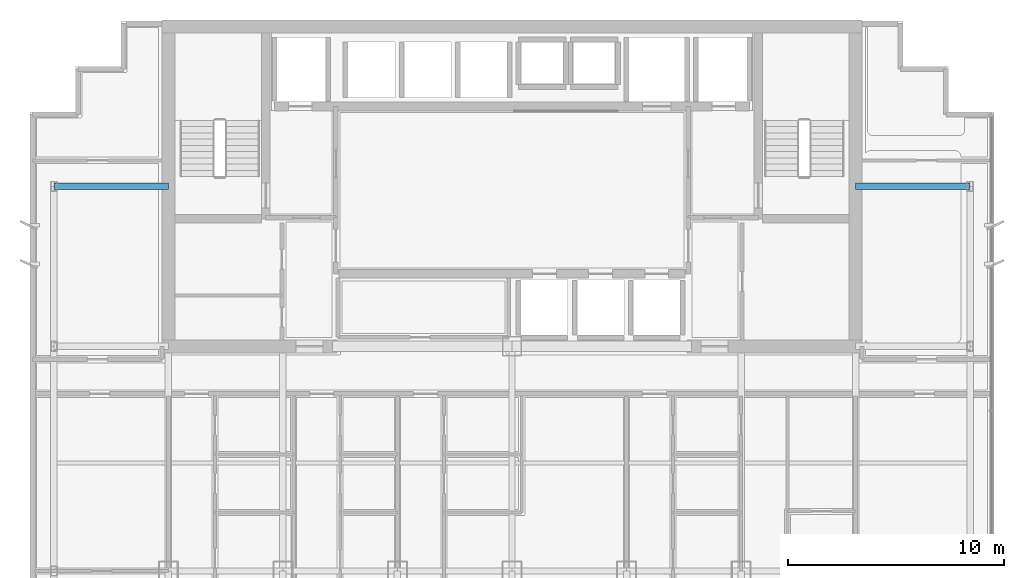
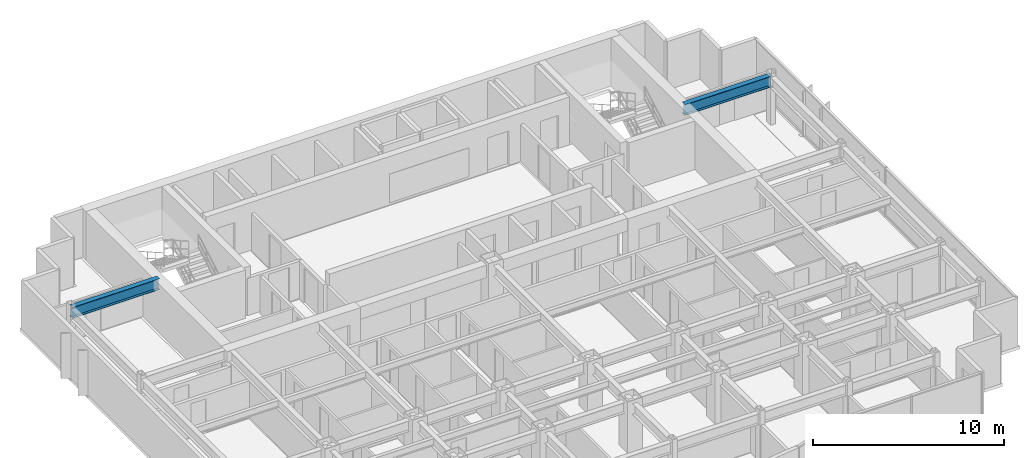
# One storey, part 5 of 13: 2 beams.
"""IFC4 building model written with IfcOpenShell, lengths in metres."""

from ifc_helpers import new_model, si_unit, direction, frame, origin, origin_2d, place, context, subcontext, project, spatial, i_section, extrude, material, material_profile, profile_set, type_object, element, save


model = new_model("IFC4")

# Units and contexts
model_context = context("Model", 3, precision=1e-05, world=origin(), true_north=direction((0.0, 1.0)))
body_context = subcontext(model_context, "Body", "Model", "MODEL_VIEW")
ifc_project = project(units=[si_unit("LENGTHUNIT", "METRE"), si_unit("AREAUNIT", "SQUARE_METRE"), si_unit("VOLUMEUNIT", "CUBIC_METRE"), si_unit("PLANEANGLEUNIT", "RADIAN"), si_unit("MASSUNIT", "GRAM", prefix="KILO")], contexts=[model_context])

# Site, building, storey
site_placement = place(None, origin())
site = spatial("IfcSite", under=ifc_project, at=site_placement, CompositionType="ELEMENT")
building_placement = place(site_placement, origin())
building = spatial("IfcBuilding", under=site, at=building_placement, Name="Qianlan Lanfeng Residences", CompositionType="ELEMENT")
storey_placement = place(building_placement, frame((0.0, 0.0, 142.5)))
storey = spatial("IfcBuildingStorey", under=building, at=storey_placement, Name="L38", CompositionType="ELEMENT", Elevation=142.5)

# Beams
ifc_material = material(Name="Steel SN490B", Category="steel")
ifc_material_profile = material_profile(ifc_material, i_section(OverallWidth=0.300048828125, OverallDepth=0.699951171875, WebThickness=0.012939453125, FlangeThickness=0.02392578125, at=origin_2d()), Name="H 700x300x13x24")
ifc_profile_set = profile_set([ifc_material_profile], Name="Steel SN490B")
beam_type = type_object("IfcBeamType", Name="G-750", PredefinedType="BEAM", material=ifc_profile_set)
for number, where, z_axis, x_axis, name in (
    (1, (5.300048828125, 32.60009765625, 2.75), (1.0, 0.0, 0.0), (0.0, 1.0, 0.0), "Structural beam G-750"),
    (2, (42.39990234375, 32.60009765625, 2.75), (1.0, 0.0, 0.0), (0.0, 1.0, 0.0), "Structural beam G-750"),
):
    element("IfcBeam", number, at=place(storey_placement, frame(where, z_axis=z_axis, x_axis=x_axis)), inside=storey, type_object=beam_type, Name=name, PredefinedType="BEAM", context=body_context, shape_type="SweptSolid", body=[
        extrude(i_section(OverallWidth=0.300048828125, OverallDepth=0.699951171875, WebThickness=0.012939453125, FlangeThickness=0.02392578125, at=origin_2d()), origin(), (0.0, 0.0, 1.0), 5.300048828125),
    ])

save(model, "model.ifc")
